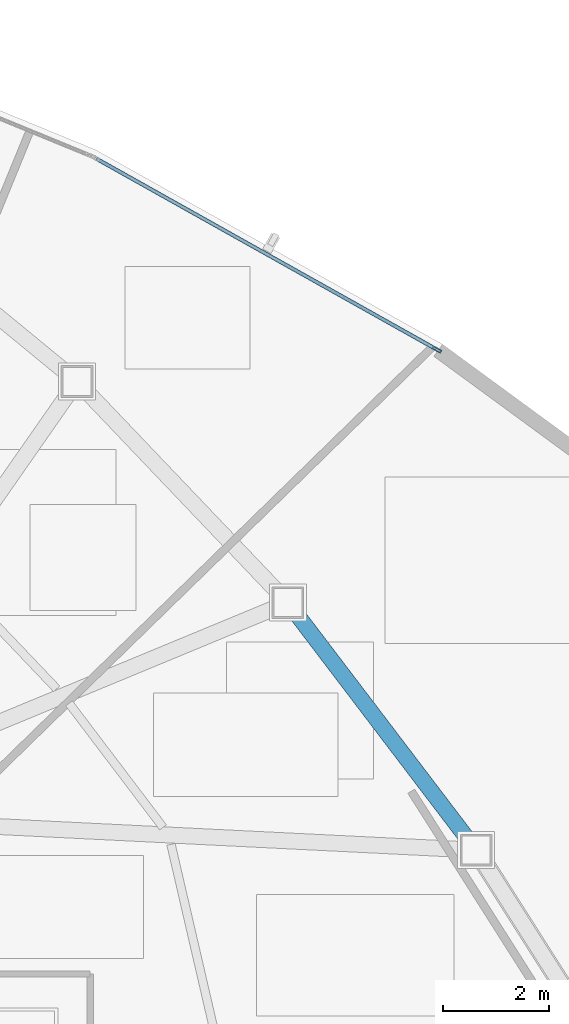
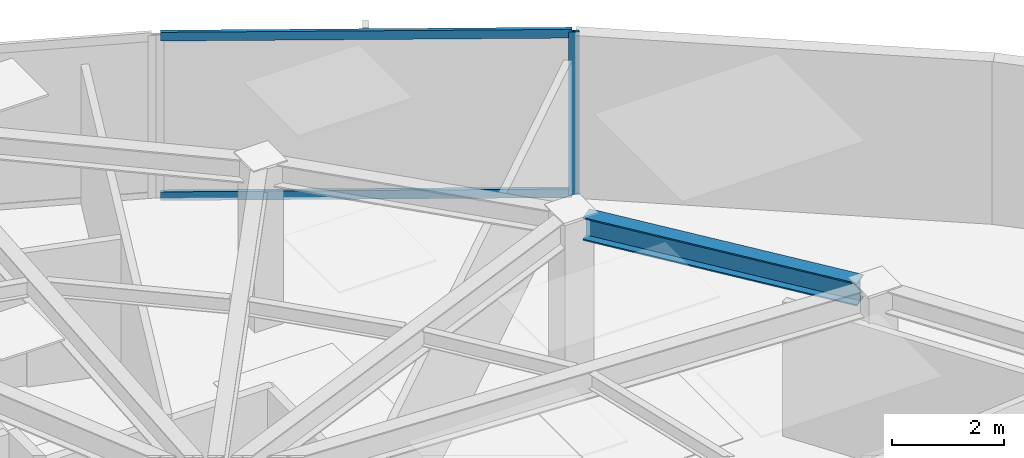
# One storey, part 10 of 18: 3 members, 1 beam, 1 element without a shape of its own.
"""IFC4 building model written with IfcOpenShell, lengths in metres."""

from ifc_helpers import new_model, si_unit, direction, frame, origin, origin_2d, place, context, subcontext, project, spatial, hollow_rectangle, i_section, extrude, source, transform, mapped, material, layer, layer_set, material_profile, profile_set, type_object, type_shapes, element, aggregate, save


model = new_model("IFC4")

# Units and contexts
model_context = context("Model", 3, precision=1e-05, world=origin(), true_north=direction((0.0, 1.0)))
body_context = subcontext(model_context, "Body", "Model", "MODEL_VIEW")
ifc_project = project(units=[si_unit("LENGTHUNIT", "METRE"), si_unit("AREAUNIT", "SQUARE_METRE"), si_unit("VOLUMEUNIT", "CUBIC_METRE"), si_unit("PLANEANGLEUNIT", "RADIAN"), si_unit("MASSUNIT", "GRAM", prefix="KILO")], contexts=[model_context])

# Site, building, storey
site_placement = place(None, origin())
site = spatial("IfcSite", under=ifc_project, at=site_placement, CompositionType="ELEMENT")
building_placement = place(site_placement, origin())
building = spatial("IfcBuilding", under=site, at=building_placement, Name="Tavelor Broadcast Tower", CompositionType="ELEMENT")
storey_placement = place(building_placement, frame((0.0, 0.0, 177.199951171875)))
storey = spatial("IfcBuildingStorey", under=building, at=storey_placement, Name="L42", CompositionType="ELEMENT", Elevation=177.199951171875)

# Beam
ifc_material_1 = material(Name="Steel S355", Category="steel")
ifc_material_profile_1 = material_profile(ifc_material_1, i_section(OverallWidth=0.300048828125, OverallDepth=0.5, WebThickness=0.014404296875, FlangeThickness=0.028076171875, at=origin_2d()), Name="HEB 500")
ifc_profile_set_1 = profile_set([ifc_material_profile_1], Name="Steel S355")
beam_type = type_object("IfcBeamType", Name="Perimeter Spandrel Beam T4 HEB 500", PredefinedType="SPANDREL", material=ifc_profile_set_1)
beam_placement = place(storey_placement, frame((69.711669921875, 50.7734375, 3.300048828125), z_axis=(-0.605502841959, 0.795843143075, 0.0), x_axis=(-0.795843143075, -0.605502841959, 0.0)))
element("IfcBeam", 1, at=beam_placement, inside=storey, type_object=beam_type, Name="L42 Framed-Tube Ring Spandrel 14", PredefinedType="SPANDREL", context=body_context, shape_type="SweptSolid", body=[
    extrude(i_section(OverallWidth=0.300048828125, OverallDepth=0.5, WebThickness=0.014404296875, FlangeThickness=0.028076171875, at=origin_2d()), origin(), (0.0, 0.0, 1.0), 5.310302734375),
])

# Curtain wall, members
ifc_material_2 = material(Name="Architectural Anodized Aluminium", Category="aluminium")
ifc_layer = layer(ifc_material_2, 0.18994140625)
ifc_layer_set = layer_set([ifc_layer], Name="Architectural Anodized Aluminium")
curtain_wall_type = type_object("IfcCurtainWallType", Name="Tower Mid-Zone Acoustic Curtain Wall CW03", PredefinedType="NOTDEFINED", material=ifc_layer_set)
curtain_wall_placement = place(storey_placement, origin())
curtain_wall = element("IfcCurtainWall", 2, at=curtain_wall_placement, inside=storey, type_object=curtain_wall_type, Name="L42 Curtain Wall CW03 Run 453", PredefinedType="NOTDEFINED")
ifc_material_profile_2 = material_profile(ifc_material_2, hollow_rectangle(XDim=0.068115234375, YDim=0.18994140625, WallThickness=0.02197265625, at=origin_2d()), Name="RHS 68x190x22")
ifc_profile_set_2 = profile_set([ifc_material_profile_2], Name="Architectural Anodized Aluminium")
member_type_1 = type_object("IfcMemberType", Name="CW03 Extruded Aluminium Mullion 68x190", PredefinedType="MULLION", material=ifc_profile_set_2)
shared_shape_1 = source(origin(), body_context, "Body", "SweptSolid", [
    extrude(hollow_rectangle(XDim=0.068115234375, YDim=0.18994140625, WallThickness=0.02197265625, at=origin_2d()), origin(), (0.0, 0.0, 1.0), 3.550048828125),
])
type_shapes(member_type_1, [shared_shape_1])
member_1_placement = place(storey_placement, frame((69.142333984375, 60.018310546875, 0.0), z_axis=(0.0, 0.0, 1.0), x_axis=(-0.489007457549, -0.872279603374, 0.0)))
member_1 = element("IfcMember", 3, at=member_1_placement, type_object=member_type_1, Name="CW03 mullion 1", PredefinedType="MULLION", context=body_context, shape_type="MappedRepresentation", body=[
    mapped(shared_shape_1, transform((0.0, 0.0, 0.0), scale=1.0)),
])
ifc_material_profile_3 = material_profile(ifc_material_2, hollow_rectangle(XDim=0.068115234375, YDim=0.18994140625, WallThickness=0.02197265625, at=origin_2d()), Name="RHS 68x190x22")
ifc_profile_set_3 = profile_set([ifc_material_profile_3], Name="Architectural Anodized Aluminium")
member_type_2 = type_object("IfcMemberType", Name="CW03 Extruded Aluminium Transom 68x190", PredefinedType="USERDEFINED", material=ifc_profile_set_3)
shared_shape_2 = source(origin(), body_context, "Body", "SweptSolid", [
    extrude(hollow_rectangle(XDim=0.068115234375, YDim=0.18994140625, WallThickness=0.02197265625, at=origin_2d()), origin(), (0.0, 0.0, 1.0), 7.353515625),
])
type_shapes(member_type_2, [shared_shape_2])
member_2_placement = place(storey_placement, frame((69.11279296875, 60.034912109375, 0.033935546875), z_axis=(-0.872277763161, 0.48901074006, 0.0), x_axis=(-0.48901074006, -0.872277763161, 0.0)))
member_2 = element("IfcMember", 4, at=member_2_placement, type_object=member_type_2, Name="CW03 transom 1.1", ObjectType="TRANSOM", PredefinedType="USERDEFINED", context=body_context, shape_type="MappedRepresentation", body=[
    mapped(shared_shape_2, transform((0.0, 0.0, 0.0), scale=1.0)),
])
member_3_placement = place(storey_placement, frame((69.11279296875, 60.034912109375, 3.51611328125), z_axis=(-0.872277763161, 0.48901074006, 0.0), x_axis=(-0.48901074006, -0.872277763161, 0.0)))
member_3 = element("IfcMember", 5, at=member_3_placement, type_object=member_type_2, Name="CW03 transom 1.2", ObjectType="TRANSOM", PredefinedType="USERDEFINED", context=body_context, shape_type="MappedRepresentation", body=[
    mapped(shared_shape_2, transform((0.0, 0.0, 0.0), scale=1.0)),
])
aggregate(curtain_wall, [member_1, member_2, member_3])

save(model, "model.ifc")
